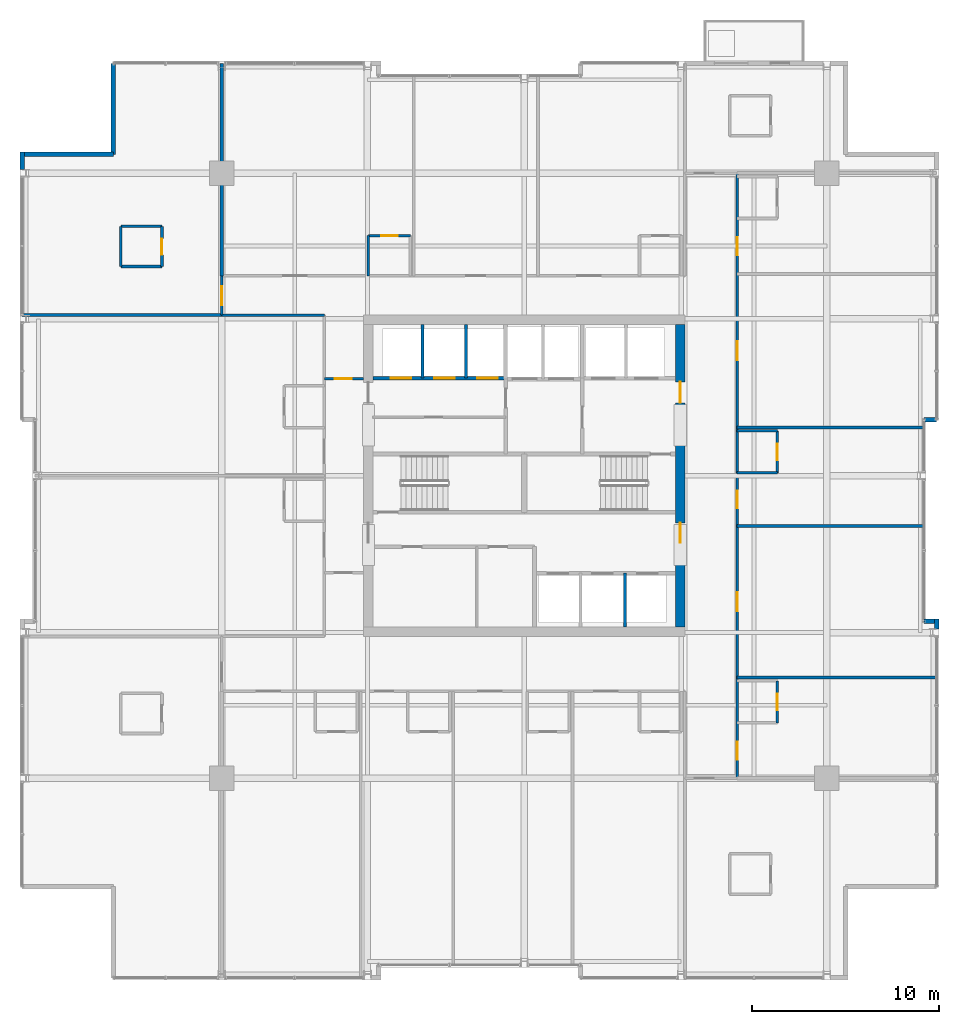
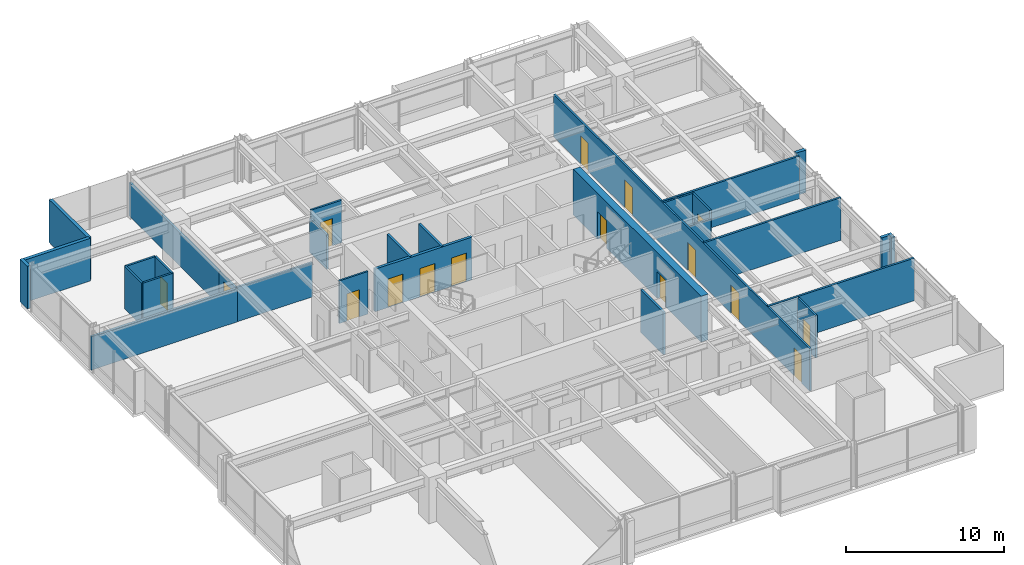
# One storey, part 29 of 33: 30 walls, 16 doors, 16 openings.
"""IFC4 building model written with IfcOpenShell, lengths in metres."""

from ifc_helpers import new_model, si_unit, direction, frame, frame_2d, origin, place, context, subcontext, project, spatial, rectangle, extrude, material, layer, layer_set, type_object, element, fill, save


model = new_model("IFC4")

# Units and contexts
model_context = context("Model", 3, precision=1e-05, world=origin(), true_north=direction((0.0, 1.0)))
body_context = subcontext(model_context, "Body", "Model", "MODEL_VIEW")
ifc_project = project(units=[si_unit("LENGTHUNIT", "METRE"), si_unit("AREAUNIT", "SQUARE_METRE"), si_unit("VOLUMEUNIT", "CUBIC_METRE"), si_unit("PLANEANGLEUNIT", "RADIAN"), si_unit("MASSUNIT", "GRAM", prefix="KILO")], contexts=[model_context])

# Site, building, storey
site_placement = place(None, origin())
site = spatial("IfcSite", under=ifc_project, at=site_placement, CompositionType="ELEMENT")
building_placement = place(site_placement, origin())
building = spatial("IfcBuilding", under=site, at=building_placement, Name="Drelvath Grand Hotel", CompositionType="ELEMENT")
storey_placement = place(building_placement, frame((0.0, 0.0, 171.699951171875)))
storey = spatial("IfcBuildingStorey", under=building, at=storey_placement, Name="L44", CompositionType="ELEMENT", Elevation=171.699951171875)

# Wall, openings, doors
ifc_material_1 = material(Name="Concrete C40/50", Category="concrete")
ifc_layer_1 = layer(ifc_material_1, 0.199951171875)
ifc_layer_set_1 = layer_set([ifc_layer_1], Name="Concrete C40/50")
wall_type_1 = type_object("IfcWallType", Name="Core Hoistway Fire Wall 200", PredefinedType="SOLIDWALL", material=ifc_layer_set_1)
wall_1_placement = place(storey_placement, frame((-8.10009765625, 32.219970703125, 0.0), z_axis=(0.0, 0.0, 1.0), x_axis=(1.0, 0.0, 0.0)))
wall_1 = element("IfcWall", 1, at=wall_1_placement, inside=storey, type_object=wall_type_1, Name="L44 Bank 3 Hoistway Wall", PredefinedType="SOLIDWALL", context=body_context, shape_type="SweptSolid", body=[
    extrude(rectangle(XDim=7.10009765625, YDim=0.199951171875, at=frame_2d((3.550048828125, 0.0))), origin(), (0.0, 0.0, 1.0), 3.2900390625),
])
opening_1_placement = place(wall_1_placement, frame((0.949951171875, 0.0, 0.0)))
opening_1 = element("IfcOpeningElement", 2, at=opening_1_placement, cuts=wall_1, Name="Opening LD-PE-7", PredefinedType="OPENING", context=body_context, shape_type="SweptSolid", body=[
    extrude(rectangle(XDim=1.10009765625, YDim=2.199951171875, at=frame_2d((0.550048828125, 1.10009765625))), frame((0.0, 0.10986328125, 0.0), z_axis=(0.0, -1.0, 0.0), x_axis=(1.0, 0.0, 0.0)), (0.0, 0.0, 1.0), 0.219970703125),
])
opening_2_placement = place(wall_1_placement, frame((3.27001953125, 0.0, 0.0)))
opening_2 = element("IfcOpeningElement", 3, at=opening_2_placement, cuts=wall_1, Name="Opening LD-PE-8", PredefinedType="OPENING", context=body_context, shape_type="SweptSolid", body=[
    extrude(rectangle(XDim=1.10009765625, YDim=2.199951171875, at=frame_2d((0.550048828125, 1.10009765625))), frame((0.0, 0.10986328125, 0.0), z_axis=(0.0, -1.0, 0.0), x_axis=(1.0, 0.0, 0.0)), (0.0, 0.0, 1.0), 0.219970703125),
])
opening_3_placement = place(wall_1_placement, frame((5.590087890625, 0.0, 0.0)))
opening_3 = element("IfcOpeningElement", 4, at=opening_3_placement, cuts=wall_1, Name="Opening LD-PE-9", PredefinedType="OPENING", context=body_context, shape_type="SweptSolid", body=[
    extrude(rectangle(XDim=1.10009765625, YDim=2.199951171875, at=frame_2d((0.550048828125, 1.10009765625))), frame((0.0, 0.10986328125, 0.0), z_axis=(0.0, -1.0, 0.0), x_axis=(1.0, 0.0, 0.0)), (0.0, 0.0, 1.0), 0.219970703125),
])
ifc_material_2 = material(Name="Stainless Steel S355", Category="steel")
door_type_1 = type_object("IfcDoorType", Name="Passenger Lift Sliding Landing Door 1100x2200", OperationType="NOTDEFINED", PredefinedType="DOOR", material=ifc_material_2)
door_1_placement = place(opening_1_placement, origin())
door_1 = element("IfcDoor", 5, at=door_1_placement, inside=storey, type_object=door_type_1, Name="L44 Lift PE-7 Landing Door", OperationType="SLIDING_TO_LEFT", OverallHeight=2.199951171875, OverallWidth=1.10009765625, PredefinedType="DOOR", context=body_context, shape_type="SweptSolid", body=[
    extrude(rectangle(XDim=1.10009765625, YDim=2.199951171875, at=frame_2d((0.550048828125, 1.10009765625))), frame((0.0, 0.02490234375, 0.0), z_axis=(0.0, -1.0, 0.0), x_axis=(1.0, 0.0, 0.0)), (0.0, 0.0, 1.0), 0.050048828125),
])
fill(opening_1, door_1)
door_2_placement = place(opening_2_placement, origin())
door_2 = element("IfcDoor", 6, at=door_2_placement, inside=storey, type_object=door_type_1, Name="L44 Lift PE-8 Landing Door", OperationType="SLIDING_TO_LEFT", OverallHeight=2.199951171875, OverallWidth=1.10009765625, PredefinedType="DOOR", context=body_context, shape_type="SweptSolid", body=[
    extrude(rectangle(XDim=1.10009765625, YDim=2.199951171875, at=frame_2d((0.550048828125, 1.10009765625))), frame((0.0, 0.02490234375, 0.0), z_axis=(0.0, -1.0, 0.0), x_axis=(1.0, 0.0, 0.0)), (0.0, 0.0, 1.0), 0.050048828125),
])
fill(opening_2, door_2)
door_3_placement = place(opening_3_placement, origin())
door_3 = element("IfcDoor", 7, at=door_3_placement, inside=storey, type_object=door_type_1, Name="L44 Lift PE-9 Landing Door", OperationType="SLIDING_TO_LEFT", OverallHeight=2.199951171875, OverallWidth=1.10009765625, PredefinedType="DOOR", context=body_context, shape_type="SweptSolid", body=[
    extrude(rectangle(XDim=1.10009765625, YDim=2.199951171875, at=frame_2d((0.550048828125, 1.10009765625))), frame((0.0, 0.02490234375, 0.0), z_axis=(0.0, -1.0, 0.0), x_axis=(1.0, 0.0, 0.0)), (0.0, 0.0, 1.0), 0.050048828125),
])
fill(opening_3, door_3)

# Walls
ifc_material_3 = material(Name="Gypsum Fireboard Partition")
ifc_layer_2 = layer(ifc_material_3, 0.1650390625)
ifc_layer_set_2 = layer_set([ifc_layer_2], Name="Gypsum Fireboard Partition")
wall_type_2 = type_object("IfcWallType", Name="Core Shaft Partition 165", PredefinedType="PARTITIONING", material=ifc_layer_set_2)
for number, where, z_axis, x_axis, name in (
    (8, (-5.43994140625, 32.219970703125, 0.0), (0.0, 0.0, 1.0), (0.0, 1.0, 0.0), "L44 Lift PE-7/8 Divider"),
    (9, (-3.1201171875, 32.219970703125, 0.0), (0.0, 0.0, 1.0), (0.0, 1.0, 0.0), "L44 Lift PE-8/9 Divider"),
    (10, (5.39990234375, 18.89990234375, 0.0), (0.0, 0.0, 1.0), (0.0, 1.0, 0.0), "L44 Lift PE-5/6 Divider"),
):
    element("IfcWall", number, at=place(storey_placement, frame(where, z_axis=z_axis, x_axis=x_axis)), inside=storey, type_object=wall_type_2, Name=name, PredefinedType="PARTITIONING", context=body_context, shape_type="SweptSolid", body=[
        extrude(rectangle(XDim=2.880126953125, YDim=0.1650390625, at=frame_2d((1.43994140625, 0.0))), origin(), (0.0, 0.0, 1.0), 3.2900390625),
    ])

# Wall, opening, door
ifc_layer_3 = layer(ifc_material_3, 0.135009765625)
ifc_layer_set_3 = layer_set([ifc_layer_3], Name="Gypsum Fireboard Partition")
wall_type_3 = type_object("IfcWallType", Name="Corridor Fire Barrier Wall 135", PredefinedType="PARTITIONING", material=ifc_layer_set_3)
wall_2_placement = place(storey_placement, frame((-10.699951171875, 32.199951171875, 0.0), z_axis=(0.0, 0.0, 1.0), x_axis=(1.0, 0.0, 0.0)))
wall_2 = element("IfcWall", 11, at=wall_2_placement, inside=storey, type_object=wall_type_3, Name="L44 West Foyer North Wall", PredefinedType="PARTITIONING", context=body_context, shape_type="SweptSolid", body=[
    extrude(rectangle(XDim=2.099853515625, YDim=0.135009765625, at=frame_2d((1.0498046875, 0.0))), origin(), (0.0, 0.0, 1.0), 3.2900390625),
])
opening_4_placement = place(wall_2_placement, frame((0.550048828125, 0.0, 0.0)))
opening_4 = element("IfcOpeningElement", 12, at=opening_4_placement, cuts=wall_2, Name="Opening D-T3G3-023", PredefinedType="OPENING", context=body_context, shape_type="SweptSolid", body=[
    extrude(rectangle(XDim=0.919921875, YDim=2.10009765625, at=frame_2d((0.4599609375, 1.050048828125))), frame((0.0, 0.077392578125, 0.0), z_axis=(0.0, -1.0, 0.0), x_axis=(1.0, 0.0, 0.0)), (0.0, 0.0, 1.0), 0.155029296875),
])
ifc_material_4 = material(Name="Painted Steel S275", Category="steel")
door_type_2 = type_object("IfcDoorType", Name="Staff Utility Door 920x2100", OperationType="NOTDEFINED", PredefinedType="DOOR", material=ifc_material_4)
door_4_placement = place(opening_4_placement, origin())
door_4 = element("IfcDoor", 13, at=door_4_placement, inside=storey, type_object=door_type_2, Name="L44 West Pantry Door", OperationType="SINGLE_SWING_LEFT", OverallHeight=2.10009765625, OverallWidth=0.919921875, PredefinedType="DOOR", context=body_context, shape_type="SweptSolid", body=[
    extrude(rectangle(XDim=0.919921875, YDim=2.10009765625, at=frame_2d((0.4599609375, 1.050048828125))), frame((0.0, 0.02490234375, 0.0), z_axis=(0.0, -1.0, 0.0), x_axis=(1.0, 0.0, 0.0)), (0.0, 0.0, 1.0), 0.050048828125),
])
fill(opening_4, door_4)

# Wall
wall_3_placement = place(storey_placement, frame((-16.199951171875, 35.60009765625, 0.0), z_axis=(0.0, 0.0, 1.0), x_axis=(1.0, 0.0, 0.0)))
element("IfcWall", 14, at=wall_3_placement, inside=storey, type_object=wall_type_3, Name="L44 NW Stub South Wall", PredefinedType="PARTITIONING", context=body_context, shape_type="SweptSolid", body=[
    extrude(rectangle(XDim=5.5, YDim=0.135009765625, at=frame_2d((2.75, 0.0))), origin(), (0.0, 0.0, 1.0), 2.66748046875),
])

# Wall, openings, doors
wall_4_placement = place(storey_placement, frame((11.39990234375, 10.800048828125, 0.0), z_axis=(0.0, 0.0, 1.0), x_axis=(0.0, 1.0, 0.0)))
wall_4 = element("IfcWall", 15, at=wall_4_placement, inside=storey, type_object=wall_type_3, Name="L44 East Spine Corridor Wall", PredefinedType="PARTITIONING", context=body_context, shape_type="SweptSolid", body=[
    extrude(rectangle(XDim=32.39990234375, YDim=0.135009765625, at=frame_2d((16.199951171875, 0.0))), origin(), (0.0, 0.0, 1.0), 3.2900390625),
])
opening_5_placement = place(wall_4_placement, frame((1.0048828125, 0.0, 0.0)))
opening_5 = element("IfcOpeningElement", 16, at=opening_5_placement, cuts=wall_4, Name="Opening D-T3G3-046", PredefinedType="OPENING", context=body_context, shape_type="SweptSolid", body=[
    extrude(rectangle(XDim=0.9599609375, YDim=2.14990234375, at=frame_2d((0.47998046875, 1.074951171875))), frame((0.0, 0.077392578125, 0.0), z_axis=(0.0, -1.0, 0.0), x_axis=(1.0, 0.0, 0.0)), (0.0, 0.0, 1.0), 0.155029296875),
])
opening_6_placement = place(wall_4_placement, frame((8.93994140625, 0.0, 0.0)))
opening_6 = element("IfcOpeningElement", 17, at=opening_6_placement, cuts=wall_4, Name="Opening D-T3G3-047", PredefinedType="OPENING", context=body_context, shape_type="SweptSolid", body=[
    extrude(rectangle(XDim=1.02001953125, YDim=2.14990234375, at=frame_2d((0.510009765625, 1.074951171875))), frame((0.0, 0.077392578125, 0.0), z_axis=(0.0, -1.0, 0.0), x_axis=(1.0, 0.0, 0.0)), (0.0, 0.0, 1.0), 0.155029296875),
])
opening_7_placement = place(wall_4_placement, frame((14.445068359375, 0.0, 0.0)))
opening_7 = element("IfcOpeningElement", 18, at=opening_7_placement, cuts=wall_4, Name="Opening D-T3G3-049", PredefinedType="OPENING", context=body_context, shape_type="SweptSolid", body=[
    extrude(rectangle(XDim=0.9599609375, YDim=2.14990234375, at=frame_2d((0.47998046875, 1.074951171875))), frame((0.0, 0.077392578125, 0.0), z_axis=(0.0, -1.0, 0.0), x_axis=(1.0, 0.0, 0.0)), (0.0, 0.0, 1.0), 0.155029296875),
])
opening_8_placement = place(wall_4_placement, frame((22.3798828125, 0.0, 0.0)))
opening_8 = element("IfcOpeningElement", 19, at=opening_8_placement, cuts=wall_4, Name="Opening D-T3G3-050", PredefinedType="OPENING", context=body_context, shape_type="SweptSolid", body=[
    extrude(rectangle(XDim=1.02001953125, YDim=2.14990234375, at=frame_2d((0.510009765625, 1.074951171875))), frame((0.0, 0.077392578125, 0.0), z_axis=(0.0, -1.0, 0.0), x_axis=(1.0, 0.0, 0.0)), (0.0, 0.0, 1.0), 0.155029296875),
])
opening_9_placement = place(wall_4_placement, frame((28.0048828125, 0.0, 0.0)))
opening_9 = element("IfcOpeningElement", 20, at=opening_9_placement, cuts=wall_4, Name="Opening D-T3G3-052", PredefinedType="OPENING", context=body_context, shape_type="SweptSolid", body=[
    extrude(rectangle(XDim=0.9599609375, YDim=2.14990234375, at=frame_2d((0.47998046875, 1.074951171875))), frame((0.0, 0.077392578125, 0.0), z_axis=(0.0, -1.0, 0.0), x_axis=(1.0, 0.0, 0.0)), (0.0, 0.0, 1.0), 0.155029296875),
])
ifc_material_5 = material(Name="Hardwood Walnut Timber", Category="wood")
door_type_3 = type_object("IfcDoorType", Name="Amenity Meeting Fire Door 1020x2150", OperationType="NOTDEFINED", PredefinedType="DOOR", material=ifc_material_5)
door_5_placement = place(opening_6_placement, origin())
door_5 = element("IfcDoor", 21, at=door_5_placement, inside=storey, type_object=door_type_3, Name="L44 Private Study Room Entry Door", OperationType="SINGLE_SWING_LEFT", OverallHeight=2.14990234375, OverallWidth=1.02001953125, PredefinedType="DOOR", context=body_context, shape_type="SweptSolid", body=[
    extrude(rectangle(XDim=1.02001953125, YDim=2.14990234375, at=frame_2d((0.510009765625, 1.074951171875))), frame((0.0, 0.02490234375, 0.0), z_axis=(0.0, -1.0, 0.0), x_axis=(1.0, 0.0, 0.0)), (0.0, 0.0, 1.0), 0.050048828125),
])
fill(opening_6, door_5)
door_6_placement = place(opening_8_placement, origin())
door_6 = element("IfcDoor", 22, at=door_6_placement, inside=storey, type_object=door_type_3, Name="L44 Guest Relations Office Entry Door", OperationType="SINGLE_SWING_RIGHT", OverallHeight=2.14990234375, OverallWidth=1.02001953125, PredefinedType="DOOR", context=body_context, shape_type="SweptSolid", body=[
    extrude(rectangle(XDim=1.02001953125, YDim=2.14990234375, at=frame_2d((0.510009765625, 1.074951171875))), frame((0.0, 0.02490234375, 0.0), z_axis=(0.0, -1.0, 0.0), x_axis=(1.0, 0.0, 0.0)), (0.0, 0.0, 1.0), 0.050048828125),
])
fill(opening_8, door_6)
door_type_4 = type_object("IfcDoorType", Name="Guestroom Entrance Fire Door 960x2150", OperationType="NOTDEFINED", PredefinedType="DOOR", material=ifc_material_5)
door_7_placement = place(opening_5_placement, origin())
door_7 = element("IfcDoor", 23, at=door_7_placement, inside=storey, type_object=door_type_4, Name="L44 King Guest Room Entry Door", OperationType="SINGLE_SWING_RIGHT", OverallHeight=2.14990234375, OverallWidth=0.9599609375, PredefinedType="DOOR", context=body_context, shape_type="SweptSolid", body=[
    extrude(rectangle(XDim=0.9599609375, YDim=2.14990234375, at=frame_2d((0.47998046875, 1.074951171875))), frame((0.0, 0.02490234375, 0.0), z_axis=(0.0, -1.0, 0.0), x_axis=(1.0, 0.0, 0.0)), (0.0, 0.0, 1.0), 0.050048828125),
])
fill(opening_5, door_7)
door_8_placement = place(opening_7_placement, origin())
door_8 = element("IfcDoor", 24, at=door_8_placement, inside=storey, type_object=door_type_4, Name="L44 King Guest Room Entry Door", OperationType="SINGLE_SWING_LEFT", OverallHeight=2.14990234375, OverallWidth=0.9599609375, PredefinedType="DOOR", context=body_context, shape_type="SweptSolid", body=[
    extrude(rectangle(XDim=0.9599609375, YDim=2.14990234375, at=frame_2d((0.47998046875, 1.074951171875))), frame((0.0, 0.02490234375, 0.0), z_axis=(0.0, -1.0, 0.0), x_axis=(1.0, 0.0, 0.0)), (0.0, 0.0, 1.0), 0.050048828125),
])
fill(opening_7, door_8)
door_9_placement = place(opening_9_placement, origin())
door_9 = element("IfcDoor", 25, at=door_9_placement, inside=storey, type_object=door_type_4, Name="L44 King Guest Room Entry Door", OperationType="SINGLE_SWING_RIGHT", OverallHeight=2.14990234375, OverallWidth=0.9599609375, PredefinedType="DOOR", context=body_context, shape_type="SweptSolid", body=[
    extrude(rectangle(XDim=0.9599609375, YDim=2.14990234375, at=frame_2d((0.47998046875, 1.074951171875))), frame((0.0, 0.02490234375, 0.0), z_axis=(0.0, -1.0, 0.0), x_axis=(1.0, 0.0, 0.0)), (0.0, 0.0, 1.0), 0.050048828125),
])
fill(opening_9, door_9)

# Wall, opening, door
wall_5_placement = place(storey_placement, frame((-16.199951171875, 35.60009765625, 0.0), z_axis=(0.0, 0.0, 1.0), x_axis=(0.0, 1.0, 0.0)))
wall_5 = element("IfcWall", 26, at=wall_5_placement, inside=storey, type_object=wall_type_3, Name="L44 North Stub West End", PredefinedType="PARTITIONING", context=body_context, shape_type="SweptSolid", body=[
    extrude(rectangle(XDim=2.099853515625, YDim=0.135009765625, at=frame_2d((1.0498046875, 0.0))), origin(), (0.0, 0.0, 1.0), 2.57958984375),
])
opening_10_placement = place(wall_5_placement, frame((0.52001953125, 0.0, 0.0)))
opening_10 = element("IfcOpeningElement", 27, at=opening_10_placement, cuts=wall_5, Name="Opening D-T3G3-027", PredefinedType="OPENING", context=body_context, shape_type="SweptSolid", body=[
    extrude(rectangle(XDim=1.02001953125, YDim=2.14990234375, at=frame_2d((0.510009765625, 1.074951171875))), frame((0.0, 0.077392578125, 0.0), z_axis=(0.0, -1.0, 0.0), x_axis=(1.0, 0.0, 0.0)), (0.0, 0.0, 1.0), 0.155029296875),
])
door_10_placement = place(opening_10_placement, origin())
door_10 = element("IfcDoor", 28, at=door_10_placement, inside=storey, type_object=door_type_3, Name="L44 Executive Suite Entry Door", OperationType="SINGLE_SWING_LEFT", OverallHeight=2.14990234375, OverallWidth=1.02001953125, PredefinedType="DOOR", context=body_context, shape_type="SweptSolid", body=[
    extrude(rectangle(XDim=1.02001953125, YDim=2.14990234375, at=frame_2d((0.510009765625, 1.074951171875))), frame((0.0, 0.02490234375, 0.0), z_axis=(0.0, -1.0, 0.0), x_axis=(1.0, 0.0, 0.0)), (0.0, 0.0, 1.0), 0.050048828125),
])
fill(opening_10, door_10)

# Walls
ifc_material_6 = material(Name="Moisture-Resistant Gypsum Board")
ifc_layer_4 = layer(ifc_material_6, 0.139892578125)
ifc_layer_set_4 = layer_set([ifc_layer_4], Name="Moisture-Resistant Gypsum Board")
wall_type_4 = type_object("IfcWallType", Name="En-Suite Plumbing Wall 140", PredefinedType="PLUMBINGWALL", material=ifc_layer_set_4)
for number, where, z_axis, x_axis, name in (
    (29, (-21.60009765625, 38.199951171875, 0.0), (0.0, 0.0, 1.0), (1.0, 0.0, 0.0), "L44 Corner En-Suite South"),
    (30, (-21.60009765625, 40.35009765625, 0.0), (0.0, 0.0, 1.0), (1.0, 0.0, 0.0), "L44 Corner En-Suite North"),
):
    element("IfcWall", number, at=place(storey_placement, frame(where, z_axis=z_axis, x_axis=x_axis)), inside=storey, type_object=wall_type_4, Name=name, PredefinedType="PLUMBINGWALL", context=body_context, shape_type="SweptSolid", body=[
        extrude(rectangle(XDim=2.2001953125, YDim=0.139892578125, at=frame_2d((1.10009765625, 0.0))), origin(), (0.0, 0.0, 1.0), 3.2900390625),
    ])
wall_6_placement = place(storey_placement, frame((-21.60009765625, 38.199951171875, 0.0), z_axis=(0.0, 0.0, 1.0), x_axis=(0.0, 1.0, 0.0)))
element("IfcWall", 31, at=wall_6_placement, inside=storey, type_object=wall_type_4, Name="L44 Corner En-Suite West", PredefinedType="PLUMBINGWALL", context=body_context, shape_type="SweptSolid", body=[
    extrude(rectangle(XDim=2.150146484375, YDim=0.139892578125, at=frame_2d((1.0751953125, 0.0))), origin(), (0.0, 0.0, 1.0), 3.2900390625),
])

# Wall, opening, door
wall_7_placement = place(storey_placement, frame((-19.39990234375, 38.199951171875, 0.0), z_axis=(0.0, 0.0, 1.0), x_axis=(0.0, 1.0, 0.0)))
wall_7 = element("IfcWall", 32, at=wall_7_placement, inside=storey, type_object=wall_type_4, Name="L44 Corner En-Suite East", PredefinedType="PLUMBINGWALL", context=body_context, shape_type="SweptSolid", body=[
    extrude(rectangle(XDim=2.150146484375, YDim=0.139892578125, at=frame_2d((1.0751953125, 0.0))), origin(), (0.0, 0.0, 1.0), 3.2900390625),
])
opening_11_placement = place(wall_7_placement, frame((0.6201171875, 0.0, 0.0)))
opening_11 = element("IfcOpeningElement", 33, at=opening_11_placement, cuts=wall_7, Name="Opening D-T3G3-026", PredefinedType="OPENING", context=body_context, shape_type="SweptSolid", body=[
    extrude(rectangle(XDim=0.8798828125, YDim=2.10009765625, at=frame_2d((0.43994140625, 1.050048828125))), frame((0.0, 0.079833984375, 0.0), z_axis=(0.0, -1.0, 0.0), x_axis=(1.0, 0.0, 0.0)), (0.0, 0.0, 1.0), 0.159912109375),
])
door_type_5 = type_object("IfcDoorType", Name="En-Suite Bathroom Door 880x2100", OperationType="NOTDEFINED", PredefinedType="DOOR", material=ifc_material_5)
door_11_placement = place(opening_11_placement, origin())
door_11 = element("IfcDoor", 34, at=door_11_placement, inside=storey, type_object=door_type_5, Name="L44 Corner En-Suite Door", OperationType="SINGLE_SWING_RIGHT", OverallHeight=2.10009765625, OverallWidth=0.8798828125, PredefinedType="DOOR", context=body_context, shape_type="SweptSolid", body=[
    extrude(rectangle(XDim=0.8798828125, YDim=2.10009765625, at=frame_2d((0.43994140625, 1.050048828125))), frame((0.0, 0.02490234375, 0.0), z_axis=(0.0, -1.0, 0.0), x_axis=(1.0, 0.0, 0.0)), (0.0, 0.0, 1.0), 0.050048828125),
])
fill(opening_11, door_11)

# Wall
wall_8_placement = place(storey_placement, frame((-8.34716796875, 37.699951171875, 0.0), z_axis=(0.0, 0.0, 1.0), x_axis=(0.0, 1.0, 0.0)))
element("IfcWall", 35, at=wall_8_placement, inside=storey, type_object=wall_type_4, Name="L44 En-Suite Left Wall", PredefinedType="PLUMBINGWALL", context=body_context, shape_type="SweptSolid", body=[
    extrude(rectangle(XDim=2.150146484375, YDim=0.139892578125, at=frame_2d((1.0751953125, 0.0))), origin(), (0.0, 0.0, 1.0), 2.66748046875),
])

# Wall, opening, door
wall_9_placement = place(storey_placement, frame((-8.34716796875, 39.85009765625, 0.0), z_axis=(0.0, 0.0, 1.0), x_axis=(1.0, 0.0, 0.0)))
wall_9 = element("IfcWall", 36, at=wall_9_placement, inside=storey, type_object=wall_type_4, Name="L44 En-Suite Front Wall", PredefinedType="PLUMBINGWALL", context=body_context, shape_type="SweptSolid", body=[
    extrude(rectangle(XDim=2.25, YDim=0.139892578125, at=frame_2d((1.125, 0.0))), origin(), (0.0, 0.0, 1.0), 3.2900390625),
])
opening_12_placement = place(wall_9_placement, frame((0.68505859375, 0.0, 0.0)))
opening_12 = element("IfcOpeningElement", 37, at=opening_12_placement, cuts=wall_9, Name="Opening D-T3G3-040", PredefinedType="OPENING", context=body_context, shape_type="SweptSolid", body=[
    extrude(rectangle(XDim=0.8798828125, YDim=2.10009765625, at=frame_2d((0.43994140625, 1.050048828125))), frame((0.0, 0.079833984375, 0.0), z_axis=(0.0, -1.0, 0.0), x_axis=(1.0, 0.0, 0.0)), (0.0, 0.0, 1.0), 0.159912109375),
])
door_12_placement = place(opening_12_placement, origin())
door_12 = element("IfcDoor", 38, at=door_12_placement, inside=storey, type_object=door_type_5, Name="L44 En-Suite Bathroom Door", OperationType="SINGLE_SWING_RIGHT", OverallHeight=2.10009765625, OverallWidth=0.8798828125, PredefinedType="DOOR", context=body_context, shape_type="SweptSolid", body=[
    extrude(rectangle(XDim=0.8798828125, YDim=2.10009765625, at=frame_2d((0.43994140625, 1.050048828125))), frame((0.0, 0.02490234375, 0.0), z_axis=(0.0, -1.0, 0.0), x_axis=(1.0, 0.0, 0.0)), (0.0, 0.0, 1.0), 0.050048828125),
])
fill(opening_12, door_12)

wall_10_placement = place(storey_placement, frame((13.550048828125, 13.77001953125, 0.0), z_axis=(0.0, 0.0, 1.0), x_axis=(0.0, 1.0, 0.0)))
wall_10 = element("IfcWall", 39, at=wall_10_placement, inside=storey, type_object=wall_type_4, Name="L44 En-Suite Front Wall", PredefinedType="PLUMBINGWALL", context=body_context, shape_type="SweptSolid", body=[
    extrude(rectangle(XDim=2.25, YDim=0.139892578125, at=frame_2d((1.125, 0.0))), origin(), (0.0, 0.0, 1.0), 3.2900390625),
])
opening_13_placement = place(wall_10_placement, frame((0.68505859375, 0.0, 0.0)))
opening_13 = element("IfcOpeningElement", 40, at=opening_13_placement, cuts=wall_10, Name="Opening D-T3G3-045", PredefinedType="OPENING", context=body_context, shape_type="SweptSolid", body=[
    extrude(rectangle(XDim=0.8798828125, YDim=2.10009765625, at=frame_2d((0.43994140625, 1.050048828125))), frame((0.0, 0.079833984375, 0.0), z_axis=(0.0, -1.0, 0.0), x_axis=(1.0, 0.0, 0.0)), (0.0, 0.0, 1.0), 0.159912109375),
])
door_13_placement = place(opening_13_placement, origin())
door_13 = element("IfcDoor", 41, at=door_13_placement, inside=storey, type_object=door_type_5, Name="L44 En-Suite Bathroom Door", OperationType="SINGLE_SWING_LEFT", OverallHeight=2.10009765625, OverallWidth=0.8798828125, PredefinedType="DOOR", context=body_context, shape_type="SweptSolid", body=[
    extrude(rectangle(XDim=0.8798828125, YDim=2.10009765625, at=frame_2d((0.43994140625, 1.050048828125))), frame((0.0, 0.02490234375, 0.0), z_axis=(0.0, -1.0, 0.0), x_axis=(1.0, 0.0, 0.0)), (0.0, 0.0, 1.0), 0.050048828125),
])
fill(opening_13, door_13)

# Walls
wall_11_placement = place(storey_placement, frame((11.39990234375, 27.14990234375, 0.0), z_axis=(0.0, 0.0, 1.0), x_axis=(1.0, 0.0, 0.0)))
element("IfcWall", 42, at=wall_11_placement, inside=storey, type_object=wall_type_4, Name="L44 En-Suite Left Wall", PredefinedType="PLUMBINGWALL", context=body_context, shape_type="SweptSolid", body=[
    extrude(rectangle(XDim=2.150146484375, YDim=0.139892578125, at=frame_2d((1.0751953125, 0.0))), origin(), (0.0, 0.0, 1.0), 2.66748046875),
])
wall_12_placement = place(storey_placement, frame((11.39990234375, 29.39990234375, 0.0), z_axis=(0.0, 0.0, 1.0), x_axis=(1.0, 0.0, 0.0)))
element("IfcWall", 43, at=wall_12_placement, inside=storey, type_object=wall_type_4, Name="L44 En-Suite Right Wall", PredefinedType="PLUMBINGWALL", context=body_context, shape_type="SweptSolid", body=[
    extrude(rectangle(XDim=2.150146484375, YDim=0.139892578125, at=frame_2d((1.0751953125, 0.0))), origin(), (0.0, 0.0, 1.0), 3.2900390625),
])

# Wall, opening, door
wall_13_placement = place(storey_placement, frame((13.550048828125, 27.14990234375, 0.0), z_axis=(0.0, 0.0, 1.0), x_axis=(0.0, 1.0, 0.0)))
wall_13 = element("IfcWall", 44, at=wall_13_placement, inside=storey, type_object=wall_type_4, Name="L44 En-Suite Front Wall", PredefinedType="PLUMBINGWALL", context=body_context, shape_type="SweptSolid", body=[
    extrude(rectangle(XDim=2.25, YDim=0.139892578125, at=frame_2d((1.125, 0.0))), origin(), (0.0, 0.0, 1.0), 3.2900390625),
])
opening_14_placement = place(wall_13_placement, frame((0.68505859375, 0.0, 0.0)))
opening_14 = element("IfcOpeningElement", 45, at=opening_14_placement, cuts=wall_13, Name="Opening D-T3G3-048", PredefinedType="OPENING", context=body_context, shape_type="SweptSolid", body=[
    extrude(rectangle(XDim=0.8798828125, YDim=2.10009765625, at=frame_2d((0.43994140625, 1.050048828125))), frame((0.0, 0.079833984375, 0.0), z_axis=(0.0, -1.0, 0.0), x_axis=(1.0, 0.0, 0.0)), (0.0, 0.0, 1.0), 0.159912109375),
])
door_14_placement = place(opening_14_placement, origin())
door_14 = element("IfcDoor", 46, at=door_14_placement, inside=storey, type_object=door_type_5, Name="L44 En-Suite Bathroom Door", OperationType="SINGLE_SWING_RIGHT", OverallHeight=2.10009765625, OverallWidth=0.8798828125, PredefinedType="DOOR", context=body_context, shape_type="SweptSolid", body=[
    extrude(rectangle(XDim=0.8798828125, YDim=2.10009765625, at=frame_2d((0.43994140625, 1.050048828125))), frame((0.0, 0.02490234375, 0.0), z_axis=(0.0, -1.0, 0.0), x_axis=(1.0, 0.0, 0.0)), (0.0, 0.0, 1.0), 0.050048828125),
])
fill(opening_14, door_14)

# Walls
ifc_material_7 = material(Name="Gypsum Acoustic Partition")
ifc_layer_5 = layer(ifc_material_7, 0.14990234375)
ifc_layer_set_5 = layer_set([ifc_layer_5], Name="Gypsum Acoustic Partition")
wall_type_5 = type_object("IfcWallType", Name="Guestroom Demising Wall 150", PredefinedType="PARTITIONING", material=ifc_layer_set_5)
wall_14_placement = place(storey_placement, frame((11.39990234375, 16.199951171875, 0.0), z_axis=(0.0, 0.0, 1.0), x_axis=(1.0, 0.0, 0.0)))
element("IfcWall", 47, at=wall_14_placement, inside=storey, type_object=wall_type_5, Name="L44 East Demising 1", PredefinedType="PARTITIONING", context=body_context, shape_type="SweptSolid", body=[
    extrude(rectangle(XDim=10.68017578125, YDim=0.14990234375, at=frame_2d((5.340087890625, 0.0))), origin(), (0.0, 0.0, 1.0), 3.2900390625),
])
for number, where, z_axis, x_axis, name in (
    (48, (11.39990234375, 24.300048828125, 0.0), (0.0, 0.0, 1.0), (1.0, 0.0, 0.0), "L44 East Demising 2"),
    (49, (11.39990234375, 29.580078125, 0.0), (0.0, 0.0, 1.0), (1.0, 0.0, 0.0), "L44 East Demising 3"),
):
    element("IfcWall", number, at=place(storey_placement, frame(where, z_axis=z_axis, x_axis=x_axis)), inside=storey, type_object=wall_type_5, Name=name, PredefinedType="PARTITIONING", context=body_context, shape_type="SweptSolid", body=[
        extrude(rectangle(XDim=10.0, YDim=0.14990234375, at=frame_2d((5.0, 0.0))), origin(), (0.0, 0.0, 1.0), 3.2900390625),
    ])
ifc_layer_6 = layer(ifc_material_7, 0.1650390625)
ifc_layer_set_6 = layer_set([ifc_layer_6], Name="Gypsum Acoustic Partition")
wall_type_6 = type_object("IfcWallType", Name="Suite Demising Wall 165", PredefinedType="PARTITIONING", material=ifc_layer_set_6)
wall_15_placement = place(storey_placement, frame((-16.199951171875, 37.699951171875, 0.0), z_axis=(0.0, 0.0, 1.0), x_axis=(0.0, 1.0, 0.0)))
element("IfcWall", 50, at=wall_15_placement, inside=storey, type_object=wall_type_6, Name="L44 NW Suite East Wall", PredefinedType="PARTITIONING", context=body_context, shape_type="SweptSolid", body=[
    extrude(rectangle(XDim=11.380126953125, YDim=0.1650390625, at=frame_2d((5.68994140625, 0.0))), origin(), (0.0, 0.0, 1.0), 2.57958984375),
])
wall_16_placement = place(storey_placement, frame((-26.8798828125, 35.60009765625, 0.0), z_axis=(0.0, 0.0, 1.0), x_axis=(1.0, 0.0, 0.0)))
element("IfcWall", 51, at=wall_16_placement, inside=storey, type_object=wall_type_6, Name="L44 NW Suite South Wall", PredefinedType="PARTITIONING", context=body_context, shape_type="SweptSolid", body=[
    extrude(rectangle(XDim=10.679931640625, YDim=0.1650390625, at=frame_2d((5.33984375, 0.0))), origin(), (0.0, 0.0, 1.0), 2.57958984375),
])
ifc_material_8 = material(Name="Pale-Metal Insulated Aluminium Spandrel Assembly", Category="aluminium")
ifc_layer_7 = layer(ifc_material_8, 0.239990234375)
ifc_layer_set_7 = layer_set([ifc_layer_7], Name="Pale-Metal Insulated Aluminium Spandrel Assembly")
wall_type_7 = type_object("IfcWallType", Name="Tower Insulated Metal Spandrel Closure Wall 240", PredefinedType="STANDARD", material=ifc_layer_set_7)
wall_17_placement = place(storey_placement, frame((-26.8798828125, 43.400146484375, 0.0), z_axis=(0.0, 0.0, 1.0), x_axis=(0.0, 1.0, 0.0)))
element("IfcWall", 52, at=wall_17_placement, inside=storey, type_object=wall_type_7, Name="L44 Corner Pier Spandrel Wall WN3", PredefinedType="STANDARD", context=body_context, shape_type="SweptSolid", body=[
    extrude(rectangle(XDim=0.919921875, YDim=0.239990234375, at=frame_2d((0.4599609375, 0.0))), origin(), (0.0, 0.0, 1.0), 3.2900390625),
])
wall_18_placement = place(storey_placement, frame((22.080078125, 19.320068359375, 0.0), z_axis=(0.0, 0.0, 1.0), x_axis=(0.0, -1.0, 0.0)))
element("IfcWall", 53, at=wall_18_placement, inside=storey, type_object=wall_type_7, Name="L44 Corner Pier Spandrel Wall ES3", PredefinedType="STANDARD", context=body_context, shape_type="SweptSolid", body=[
    extrude(rectangle(XDim=0.52001953125, YDim=0.239990234375, at=frame_2d((0.260009765625, 0.0))), origin(), (0.0, 0.0, 1.0), 3.2900390625),
])
wall_19_placement = place(storey_placement, frame((-26.760009765625, 44.199951171875, 0.0), z_axis=(0.0, 0.0, 1.0), x_axis=(1.0, 0.0, 0.0)))
element("IfcWall", 54, at=wall_19_placement, inside=storey, type_object=wall_type_7, Name="L44 Notched Corner Return Spandrel Wall CNW1", PredefinedType="STANDARD", context=body_context, shape_type="SweptSolid", body=[
    extrude(rectangle(XDim=4.760009765625, YDim=0.239990234375, at=frame_2d((2.3798828125, 0.0))), origin(), (0.0, 0.0, 1.0), 3.2900390625),
])
wall_20_placement = place(storey_placement, frame((-22.0, 44.199951171875, 0.0), z_axis=(0.0, 0.0, 1.0), x_axis=(0.0, 1.0, 0.0)))
element("IfcWall", 55, at=wall_20_placement, inside=storey, type_object=wall_type_7, Name="L44 Notched Corner Return Spandrel Wall CNW2", PredefinedType="STANDARD", context=body_context, shape_type="SweptSolid", body=[
    extrude(rectangle(XDim=4.880126953125, YDim=0.239990234375, at=frame_2d((2.43994140625, 0.0))), origin(), (0.0, 0.0, 1.0), 3.2900390625),
])
wall_21_placement = place(storey_placement, frame((22.080078125, 30.0, 0.0), z_axis=(0.0, 0.0, 1.0), x_axis=(-1.0, 0.0, 0.0)))
element("IfcWall", 56, at=wall_21_placement, inside=storey, type_object=wall_type_7, Name="L44 Notched Corner Return Spandrel Wall RE1", PredefinedType="STANDARD", context=body_context, shape_type="SweptSolid", body=[
    extrude(rectangle(XDim=0.68017578125, YDim=0.239990234375, at=frame_2d((0.340087890625, 0.0))), origin(), (0.0, 0.0, 1.0), 3.2900390625),
])
wall_22_placement = place(storey_placement, frame((21.39990234375, 19.199951171875, 0.0), z_axis=(0.0, 0.0, 1.0), x_axis=(1.0, 0.0, 0.0)))
element("IfcWall", 57, at=wall_22_placement, inside=storey, type_object=wall_type_7, Name="L44 Notched Corner Return Spandrel Wall RE2", PredefinedType="STANDARD", context=body_context, shape_type="SweptSolid", body=[
    extrude(rectangle(XDim=0.56005859375, YDim=0.239990234375, at=frame_2d((0.280029296875, 0.0))), origin(), (0.0, 0.0, 1.0), 3.2900390625),
])

# Wall, openings, doors
ifc_material_9 = material(Name="Concrete f'c 55 MPa", Category="concrete")
ifc_layer_8 = layer(ifc_material_9, 0.5)
ifc_layer_set_8 = layer_set([ifc_layer_8], Name="Concrete f'c 55 MPa")
wall_type_8 = type_object("IfcWallType", Name="Upper Core RC Shear Wall 500", PredefinedType="SHEAR", material=ifc_layer_set_8)
wall_23_placement = place(storey_placement, frame((8.35009765625, 35.10009765625, 0.0), z_axis=(0.0, 0.0, 1.0), x_axis=(0.0, -1.0, 0.0)))
wall_23 = element("IfcWall", 58, at=wall_23_placement, inside=storey, type_object=wall_type_8, Name="L44 Central Core Shear Wall E", PredefinedType="SHEAR", context=body_context, shape_type="SweptSolid", body=[
    extrude(rectangle(XDim=16.2001953125, YDim=0.5, at=frame_2d((8.10009765625, 0.0))), origin(), (0.0, 0.0, 1.0), 3.550048828125),
])
opening_15_placement = place(wall_23_placement, frame((3.080078125, 0.0, 0.0)))
opening_15 = element("IfcOpeningElement", 59, at=opening_15_placement, cuts=wall_23, Name="Opening D-T3G3-006", PredefinedType="OPENING", context=body_context, shape_type="SweptSolid", body=[
    extrude(rectangle(XDim=1.1201171875, YDim=2.10009765625, at=frame_2d((0.56005859375, 1.050048828125))), frame((0.0, 0.260009765625, 0.0), z_axis=(0.0, -1.0, 0.0), x_axis=(1.0, 0.0, 0.0)), (0.0, 0.0, 1.0), 0.52001953125),
])
opening_16_placement = place(wall_23_placement, frame((10.6201171875, 0.0, 0.0)))
opening_16 = element("IfcOpeningElement", 60, at=opening_16_placement, cuts=wall_23, Name="Opening D-T3G3-019", PredefinedType="OPENING", context=body_context, shape_type="SweptSolid", body=[
    extrude(rectangle(XDim=1.080078125, YDim=2.0400390625, at=frame_2d((0.5400390625, 1.02001953125))), frame((0.0, 0.260009765625, 0.0), z_axis=(0.0, -1.0, 0.0), x_axis=(1.0, 0.0, 0.0)), (0.0, 0.0, 1.0), 0.52001953125),
])
door_type_6 = type_object("IfcDoorType", Name="Core Corridor Fire Door 1080x2100", OperationType="NOTDEFINED", PredefinedType="DOOR", material=ifc_material_4)
door_15_placement = place(opening_16_placement, origin())
door_15 = element("IfcDoor", 61, at=door_15_placement, inside=storey, type_object=door_type_6, Name="L44 Mid-Rise Lobby East Door", OperationType="SINGLE_SWING_LEFT", OverallHeight=2.0400390625, OverallWidth=1.080078125, PredefinedType="DOOR", context=body_context, shape_type="SweptSolid", body=[
    extrude(rectangle(XDim=1.080078125, YDim=2.0400390625, at=frame_2d((0.5400390625, 1.02001953125))), frame((0.0, 0.02490234375, 0.0), z_axis=(0.0, -1.0, 0.0), x_axis=(1.0, 0.0, 0.0)), (0.0, 0.0, 1.0), 0.050048828125),
])
fill(opening_16, door_15)
door_type_7 = type_object("IfcDoorType", Name="FSAE Smoke Lobby Fire Door 1120x2100", OperationType="NOTDEFINED", PredefinedType="DOOR", material=ifc_material_4)
door_16_placement = place(opening_15_placement, origin())
door_16 = element("IfcDoor", 62, at=door_16_placement, inside=storey, type_object=door_type_7, Name="L44 FSAE Lobby East Corridor Door", OperationType="SINGLE_SWING_LEFT", OverallHeight=2.10009765625, OverallWidth=1.1201171875, PredefinedType="DOOR", context=body_context, shape_type="SweptSolid", body=[
    extrude(rectangle(XDim=1.1201171875, YDim=2.10009765625, at=frame_2d((0.56005859375, 1.050048828125))), frame((0.0, 0.02490234375, 0.0), z_axis=(0.0, -1.0, 0.0), x_axis=(1.0, 0.0, 0.0)), (0.0, 0.0, 1.0), 0.050048828125),
])
fill(opening_15, door_16)

save(model, "model.ifc")
